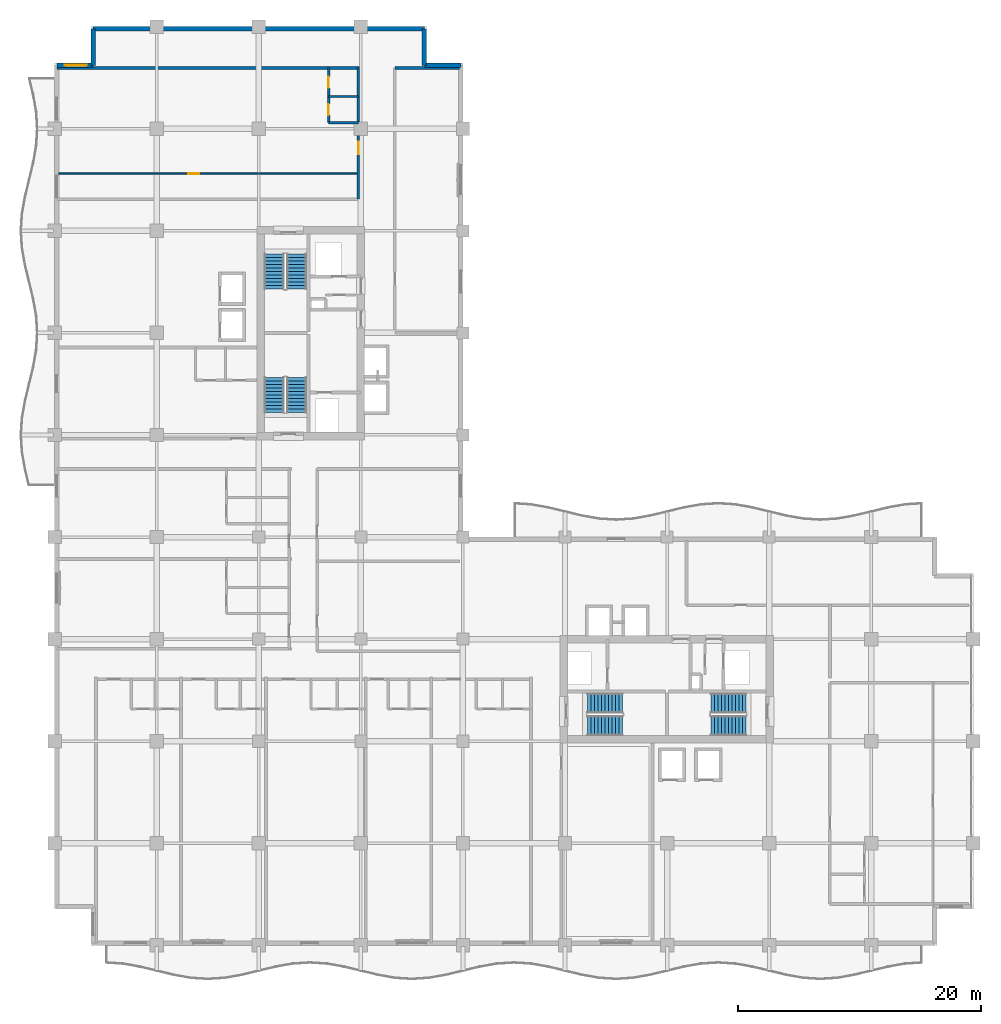
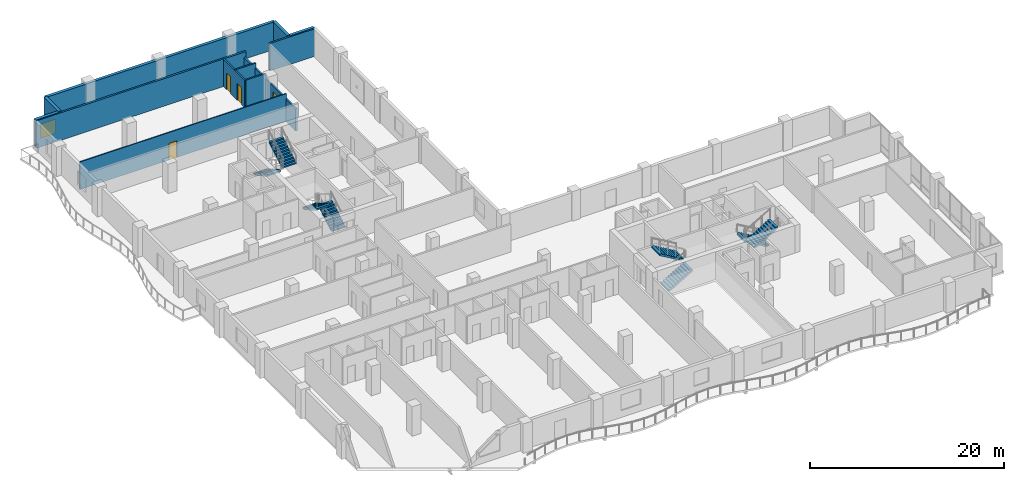
# One storey, part 15 of 21: 12 walls, 8 stair flights, 4 doors, 1 window, 5 openings, 4 elements without a shape of their own.
"""IFC4 building model written with IfcOpenShell, lengths in metres."""

from ifc_helpers import new_model, si_unit, direction, frame, frame_2d, origin, place, context, subcontext, project, spatial, polyline, rectangle, outline, extrude, material, layer, layer_set, type_object, element, fill, aggregate, save


model = new_model("IFC4")

# Units and contexts
model_context = context("Model", 3, precision=1e-05, world=origin(), true_north=direction((0.0, 1.0)))
body_context = subcontext(model_context, "Body", "Model", "MODEL_VIEW")
ifc_project = project(units=[si_unit("LENGTHUNIT", "METRE"), si_unit("AREAUNIT", "SQUARE_METRE"), si_unit("VOLUMEUNIT", "CUBIC_METRE"), si_unit("PLANEANGLEUNIT", "RADIAN"), si_unit("MASSUNIT", "GRAM", prefix="KILO")], contexts=[model_context])

# Site, building, storey
site_placement = place(None, origin())
site = spatial("IfcSite", under=ifc_project, at=site_placement, CompositionType="ELEMENT")
building_placement = place(site_placement, origin())
building = spatial("IfcBuilding", under=site, at=building_placement, Name="Koriwani Terraces Tower", CompositionType="ELEMENT")
storey_placement = place(building_placement, frame((0.0, 0.0, 197.60009765625)))
storey = spatial("IfcBuildingStorey", under=building, at=storey_placement, Name="L48", CompositionType="ELEMENT", Elevation=197.60009765625)

# Wall, opening, door
ifc_material_1 = material(Name="Autoclaved Cellular Concrete Blockwork", Category="masonry")
ifc_layer_1 = layer(ifc_material_1, 0.199951171875, Name="Autoclaved Cellular Concrete Blockwork")
ifc_layer_set_1 = layer_set([ifc_layer_1], Name="Autoclaved Cellular Concrete Blockwork")
wall_type_1 = type_object("IfcWallType", Name="WALL_CORRIDOR_200", PredefinedType="PARTITIONING", material=ifc_layer_set_1)
wall_1_placement = place(storey_placement, frame((25.0, 61.39990234375, 0.0), z_axis=(0.0, 0.0, 1.0), x_axis=(0.0, 1.0, 0.0)))
wall_1 = element("IfcWall", 1, at=wall_1_placement, inside=storey, type_object=wall_type_1, Name="L48 Interior Wall WRCOR-L48-NE-0", PredefinedType="PARTITIONING", context=body_context, shape_type="SweptSolid", body=[
    extrude(rectangle(XDim=10.800048828125, YDim=0.199951171875, at=frame_2d((5.39990234375, 0.0))), origin(), (0.0, 0.0, 1.0), 2.81982421875),
])
opening_1_placement = place(wall_1_placement, frame((3.719970703125, 0.0, 0.0)))
opening_1 = element("IfcOpeningElement", 2, at=opening_1_placement, cuts=wall_1, Name="Opening D-05", PredefinedType="OPENING", context=body_context, shape_type="SweptSolid", body=[
    extrude(rectangle(XDim=1.0, YDim=2.14990234375, at=frame_2d((0.5, 1.074951171875))), frame((0.0, 0.10986328125, 0.0), z_axis=(0.0, -1.0, 0.0), x_axis=(1.0, 0.0, 0.0)), (0.0, 0.0, 1.0), 0.219970703125),
])
ifc_material_2 = material(Name="Architectural Oak Fire Door", Category="wood")
door_type_1 = type_object("IfcDoorType", Name="DOOR_SUITE_ENTRY_1000X2150", OperationType="NOTDEFINED", PredefinedType="DOOR", material=ifc_material_2)
door_1_placement = place(opening_1_placement, origin())
door_1 = element("IfcDoor", 3, at=door_1_placement, inside=storey, type_object=door_type_1, Name="Apartment 48NE1 Entrance Door", OperationType="SINGLE_SWING_LEFT", OverallHeight=2.14990234375, OverallWidth=1.0, PredefinedType="DOOR", context=body_context, shape_type="SweptSolid", body=[
    extrude(rectangle(XDim=1.0, YDim=2.14990234375, at=frame_2d((0.5, 1.074951171875))), frame((0.0, 0.02490234375, 0.0), z_axis=(0.0, -1.0, 0.0), x_axis=(1.0, 0.0, 0.0)), (0.0, 0.0, 1.0), 0.050048828125),
])
fill(opening_1, door_1)

# Walls
ifc_layer_2 = layer(ifc_material_1, 0.219970703125, Name="Autoclaved Cellular Concrete Blockwork")
ifc_layer_set_2 = layer_set([ifc_layer_2], Name="Autoclaved Cellular Concrete Blockwork")
wall_type_2 = type_object("IfcWallType", Name="WALL_DEMISING_220", PredefinedType="PARTITIONING", material=ifc_layer_set_2)
wall_2_placement = place(storey_placement, frame((0.199951171875, 72.199951171875, 0.0), z_axis=(0.0, 0.0, 1.0), x_axis=(1.0, 0.0, 0.0)))
element("IfcWall", 4, at=wall_2_placement, inside=storey, type_object=wall_type_2, Name="L48 Interior Wall WRDEME-L48-NE", PredefinedType="PARTITIONING", context=body_context, shape_type="SweptSolid", body=[
    extrude(rectangle(XDim=24.97998046875, YDim=0.219970703125, at=frame_2d((12.489990234375, 0.0))), origin(), (0.0, 0.0, 1.0), 3.469970703125),
])
wall_3_placement = place(storey_placement, frame((28.0, 72.199951171875, 0.0), z_axis=(0.0, 0.0, 1.0), x_axis=(1.0, 0.0, 0.0)))
element("IfcWall", 5, at=wall_3_placement, inside=storey, type_object=wall_type_2, Name="L48 Interior Wall WNEC-N-L48", PredefinedType="PARTITIONING", context=body_context, shape_type="SweptSolid", body=[
    extrude(rectangle(XDim=5.300048828125, YDim=0.219970703125, at=frame_2d((2.64990234375, 0.0))), origin(), (0.0, 0.0, 1.0), 3.469970703125),
])

# Wall, opening, window
ifc_material_3 = material(Name="Concrete C50/60", Category="concrete")
ifc_layer_3 = layer(ifc_material_3, 0.35009765625, Name="Concrete C50/60")
ifc_layer_set_3 = layer_set([ifc_layer_3], Name="Concrete C50/60")
wall_type_3 = type_object("IfcWallType", Name="WALL_EXT_BRUTALIST_350", PredefinedType="STANDARD", material=ifc_layer_set_3)
wall_4_placement = place(storey_placement, frame((0.175048828125, 72.425048828125, 0.0), z_axis=(0.0, 0.0, 1.0), x_axis=(1.0, 0.0, 0.0)))
wall_4 = element("IfcWall", 6, at=wall_4_placement, inside=storey, type_object=wall_type_3, Name="L48 Fair-Faced Brutalist Exterior Wall (N3)", PredefinedType="STANDARD", context=body_context, shape_type="SweptSolid", body=[
    extrude(rectangle(XDim=3.0, YDim=0.35009765625, at=frame_2d((1.5, 0.0))), origin(), (0.0, 0.0, 1.0), 3.469970703125),
])
opening_2_placement = place(wall_4_placement, frame((0.677490234375, 0.0, 0.85009765625)))
opening_2 = element("IfcOpeningElement", 7, at=opening_2_placement, cuts=wall_4, Name="Opening W-04", PredefinedType="OPENING", context=body_context, shape_type="SweptSolid", body=[
    extrude(rectangle(XDim=1.800048828125, YDim=1.800048828125, at=frame_2d((0.89990234375, 0.89990234375))), frame((0.0, 0.18505859375, 0.0), z_axis=(0.0, -1.0, 0.0), x_axis=(1.0, 0.0, 0.0)), (0.0, 0.0, 1.0), 0.3701171875),
])
ifc_material_4 = material(Name="Tempered Laminated Low-E Glass", Category="glass")
window_type = type_object("IfcWindowType", Name="WIN_RES_BED_1800X1800", PartitioningType="DOUBLE_PANEL_VERTICAL", PredefinedType="WINDOW", material=ifc_material_4)
window_placement = place(opening_2_placement, origin())
window = element("IfcWindow", 8, at=window_placement, inside=storey, type_object=window_type, Name="L48 Exterior Window (N3-R55)", OverallHeight=1.800048828125, OverallWidth=1.800048828125, PartitioningType="SINGLE_PANEL", PredefinedType="WINDOW", context=body_context, shape_type="SweptSolid", body=[
    extrude(rectangle(XDim=1.800048828125, YDim=1.800048828125, at=frame_2d((0.89990234375, 0.89990234375))), frame((0.0, 0.030029296875, 0.0), z_axis=(0.0, -1.0, 0.0), x_axis=(1.0, 0.0, 0.0)), (0.0, 0.0, 1.0), 0.06005859375),
])
fill(opening_2, window)

# Walls
wall_5_placement = place(storey_placement, frame((3.175048828125, 72.425048828125, 0.0), z_axis=(0.0, 0.0, 1.0), x_axis=(0.0, 1.0, 0.0)))
element("IfcWall", 9, at=wall_5_placement, inside=storey, type_object=wall_type_3, Name="L48 Fair-Faced Brutalist Exterior Wall (N4)", PredefinedType="STANDARD", context=body_context, shape_type="SweptSolid", body=[
    extrude(rectangle(XDim=3.0, YDim=0.35009765625, at=frame_2d((1.5, 0.0))), origin(), (0.0, 0.0, 1.0), 3.469970703125),
])
wall_6_placement = place(storey_placement, frame((3.175048828125, 75.425048828125, 0.0), z_axis=(0.0, 0.0, 1.0), x_axis=(1.0, 0.0, 0.0)))
element("IfcWall", 10, at=wall_6_placement, inside=storey, type_object=wall_type_3, Name="L48 Fair-Faced Brutalist Exterior Wall (N_TIP)", PredefinedType="STANDARD", context=body_context, shape_type="SweptSolid", body=[
    extrude(rectangle(XDim=27.25, YDim=0.35009765625, at=frame_2d((13.625, 0.0))), origin(), (0.0, 0.0, 1.0), 3.469970703125),
])
for number, where, z_axis, x_axis, name in (
    (11, (30.425048828125, 75.425048828125, 0.0), (0.0, 0.0, 1.0), (0.0, -1.0, 0.0), "L48 Fair-Faced Brutalist Exterior Wall (N6)"),
    (12, (30.425048828125, 72.425048828125, 0.0), (0.0, 0.0, 1.0), (1.0, 0.0, 0.0), "L48 Fair-Faced Brutalist Exterior Wall (N7)"),
):
    element("IfcWall", number, at=place(storey_placement, frame(where, z_axis=z_axis, x_axis=x_axis)), inside=storey, type_object=wall_type_3, Name=name, PredefinedType="STANDARD", context=body_context, shape_type="SweptSolid", body=[
        extrude(rectangle(XDim=3.0, YDim=0.35009765625, at=frame_2d((1.5, 0.0))), origin(), (0.0, 0.0, 1.0), 3.469970703125),
    ])

# Wall, opening, door
ifc_material_5 = material(Name="Fire-Rated Acoustic Gypsum Partition", Category="masonry")
ifc_layer_4 = layer(ifc_material_5, 0.125, Name="Fire-Rated Acoustic Gypsum Partition")
ifc_layer_set_4 = layer_set([ifc_layer_4], Name="Fire-Rated Acoustic Gypsum Partition")
wall_type_4 = type_object("IfcWallType", Name="WALL_INT_125", PredefinedType="PARTITIONING", material=ifc_layer_set_4)
wall_7_placement = place(storey_placement, frame((0.35009765625, 63.5, 0.0), z_axis=(0.0, 0.0, 1.0), x_axis=(1.0, 0.0, 0.0)))
wall_7 = element("IfcWall", 13, at=wall_7_placement, inside=storey, type_object=wall_type_4, Name="L48 Interior Wall WRBED1-L48-NE-0", PredefinedType="PARTITIONING", context=body_context, shape_type="SweptSolid", body=[
    extrude(rectangle(XDim=24.64990234375, YDim=0.125, at=frame_2d((12.324951171875, 0.0))), origin(), (0.0, 0.0, 1.0), 3.469970703125),
])
opening_3_placement = place(wall_7_placement, frame((10.639892578125, 0.0, 0.0)))
opening_3 = element("IfcOpeningElement", 14, at=opening_3_placement, cuts=wall_7, Name="Opening D-06", PredefinedType="OPENING", context=body_context, shape_type="SweptSolid", body=[
    extrude(rectangle(XDim=0.919921875, YDim=2.10009765625, at=frame_2d((0.4599609375, 1.050048828125))), frame((0.0, 0.072509765625, 0.0), z_axis=(0.0, -1.0, 0.0), x_axis=(1.0, 0.0, 0.0)), (0.0, 0.0, 1.0), 0.14501953125),
])
door_type_2 = type_object("IfcDoorType", Name="DOOR_ROOM_INT_920X2100", OperationType="NOTDEFINED", PredefinedType="DOOR", material=ifc_material_2)
door_2_placement = place(opening_3_placement, origin())
door_2 = element("IfcDoor", 15, at=door_2_placement, inside=storey, type_object=door_type_2, Name="Apartment 48NE1 Master Bedroom Door", OperationType="SINGLE_SWING_RIGHT", OverallHeight=2.10009765625, OverallWidth=0.919921875, PredefinedType="DOOR", context=body_context, shape_type="SweptSolid", body=[
    extrude(rectangle(XDim=0.919921875, YDim=2.10009765625, at=frame_2d((0.4599609375, 1.050048828125))), frame((0.0, 0.02490234375, 0.0), z_axis=(0.0, -1.0, 0.0), x_axis=(1.0, 0.0, 0.0)), (0.0, 0.0, 1.0), 0.050048828125),
])
fill(opening_3, door_2)

# Wall, openings, doors
ifc_layer_5 = layer(ifc_material_5, 0.179931640625, Name="Fire-Rated Acoustic Gypsum Partition")
ifc_layer_set_5 = layer_set([ifc_layer_5], Name="Fire-Rated Acoustic Gypsum Partition")
wall_type_5 = type_object("IfcWallType", Name="WALL_PLUMBING_180", PredefinedType="PLUMBINGWALL", material=ifc_layer_set_5)
wall_8_placement = place(storey_placement, frame((22.550048828125, 67.699951171875, 0.0), z_axis=(0.0, 0.0, 1.0), x_axis=(0.0, 1.0, 0.0)))
wall_8 = element("IfcWall", 16, at=wall_8_placement, inside=storey, type_object=wall_type_5, Name="L48 Interior Wall WRSVC-L48-NE-0", PredefinedType="PLUMBINGWALL", context=body_context, shape_type="SweptSolid", body=[
    extrude(rectangle(XDim=4.5, YDim=0.179931640625, at=frame_2d((2.25, 0.0))), origin(), (0.0, 0.0, 1.0), 3.469970703125),
])
opening_4_placement = place(wall_8_placement, frame((0.6298828125, 0.0, 0.0)))
opening_4 = element("IfcOpeningElement", 17, at=opening_4_placement, cuts=wall_8, Name="Opening D-07", PredefinedType="OPENING", context=body_context, shape_type="SweptSolid", body=[
    extrude(rectangle(XDim=0.89990234375, YDim=2.10009765625, at=frame_2d((0.449951171875, 1.050048828125))), frame((0.0, 0.10009765625, 0.0), z_axis=(0.0, -1.0, 0.0), x_axis=(1.0, 0.0, 0.0)), (0.0, 0.0, 1.0), 0.199951171875),
])
opening_5_placement = place(wall_8_placement, frame((2.8701171875, 0.0, 0.0)))
opening_5 = element("IfcOpeningElement", 18, at=opening_5_placement, cuts=wall_8, Name="Opening D-06", PredefinedType="OPENING", context=body_context, shape_type="SweptSolid", body=[
    extrude(rectangle(XDim=0.919921875, YDim=2.10009765625, at=frame_2d((0.4599609375, 1.050048828125))), frame((0.0, 0.10009765625, 0.0), z_axis=(0.0, -1.0, 0.0), x_axis=(1.0, 0.0, 0.0)), (0.0, 0.0, 1.0), 0.199951171875),
])
door_type_3 = type_object("IfcDoorType", Name="DOOR_BATH_INT_900X2100", OperationType="NOTDEFINED", PredefinedType="DOOR", material=ifc_material_2)
door_3_placement = place(opening_4_placement, origin())
door_3 = element("IfcDoor", 19, at=door_3_placement, inside=storey, type_object=door_type_3, Name="Apartment 48NE1 Bathroom Door", OperationType="SINGLE_SWING_RIGHT", OverallHeight=2.10009765625, OverallWidth=0.89990234375, PredefinedType="DOOR", context=body_context, shape_type="SweptSolid", body=[
    extrude(rectangle(XDim=0.89990234375, YDim=2.10009765625, at=frame_2d((0.449951171875, 1.050048828125))), frame((0.0, 0.02490234375, 0.0), z_axis=(0.0, -1.0, 0.0), x_axis=(1.0, 0.0, 0.0)), (0.0, 0.0, 1.0), 0.050048828125),
])
fill(opening_4, door_3)
door_4_placement = place(opening_5_placement, origin())
door_4 = element("IfcDoor", 20, at=door_4_placement, inside=storey, type_object=door_type_2, Name="Apartment 48NE1 Kitchen Door", OperationType="SINGLE_SWING_LEFT", OverallHeight=2.10009765625, OverallWidth=0.919921875, PredefinedType="DOOR", context=body_context, shape_type="SweptSolid", body=[
    extrude(rectangle(XDim=0.919921875, YDim=2.10009765625, at=frame_2d((0.4599609375, 1.050048828125))), frame((0.0, 0.02490234375, 0.0), z_axis=(0.0, -1.0, 0.0), x_axis=(1.0, 0.0, 0.0)), (0.0, 0.0, 1.0), 0.050048828125),
])
fill(opening_5, door_4)

# Walls
for number, where, z_axis, x_axis, name in (
    (21, (22.550048828125, 67.699951171875, 0.0), (0.0, 0.0, 1.0), (1.0, 0.0, 0.0), "L48 Interior Wall WRSVCS-L48-NE-0"),
    (22, (22.550048828125, 69.860107421875, 0.0), (0.0, 0.0, 1.0), (1.0, 0.0, 0.0), "L48 Interior Wall WRSVCM-L48-NE-0"),
):
    element("IfcWall", number, at=place(storey_placement, frame(where, z_axis=z_axis, x_axis=x_axis)), inside=storey, type_object=wall_type_5, Name=name, PredefinedType="PLUMBINGWALL", context=body_context, shape_type="SweptSolid", body=[
        extrude(rectangle(XDim=2.449951171875, YDim=0.179931640625, at=frame_2d((1.22509765625, 0.0))), origin(), (0.0, 0.0, 1.0), 3.469970703125),
    ])

# Stair, stair flights
ifc_material_6 = material(Name="Concrete C40/50", Category="concrete")
stair_type = type_object("IfcStairType", Name="STAIR_CORE_DOGLEG_1650", PredefinedType="TWO_STRAIGHT_RUN_STAIR", material=ifc_material_6)
stair_1_placement = place(storey_placement, origin())
stair_1 = element("IfcStair", 23, at=stair_1_placement, inside=storey, type_object=stair_type, Name="L48 West Core Exit Stair 1", PredefinedType="HALF_TURN_STAIR")
stair_flight_type = type_object("IfcStairFlightType", Name="STAIR_FLIGHT_RC_1650", PredefinedType="STRAIGHT", material=ifc_material_6)
stair_flight_1_placement = place(storey_placement, frame((19.925048828125, 43.85009765625, 0.0), z_axis=(0.0, 0.0, 1.0), x_axis=(0.0, 1.0, 0.0)))
stair_flight_1 = element("IfcStairFlight", 24, at=stair_flight_1_placement, type_object=stair_flight_type, Name="ST-W1 flight 1", NumberOfRisers=11, NumberOfTreads=10, PredefinedType="STRAIGHT", RiserHeight=0.168181818, TreadLength=0.29, context=body_context, shape_type="SweptSolid", body=[
    extrude(outline(polyline([(0.0, 0.0), (0.0, 0.168212890625), (0.2900390625, 0.168212890625), (0.2900390625, 0.33642578125), (0.580078125, 0.33642578125), (0.580078125, 0.504638671875), (0.8701171875, 0.504638671875), (0.8701171875, 0.672607421875), (1.159912109375, 0.672607421875), (1.159912109375, 0.8408203125), (1.449951171875, 0.8408203125), (1.449951171875, 1.009033203125), (1.739990234375, 1.009033203125), (1.739990234375, 1.17724609375), (2.030029296875, 1.17724609375), (2.030029296875, 1.345458984375), (2.320068359375, 1.345458984375), (2.320068359375, 1.513671875), (2.610107421875, 1.513671875), (2.610107421875, 1.681884765625), (2.89990234375, 1.681884765625), (2.89990234375, 1.85009765625), (2.89990234375, 1.473876953125), (0.358642578125, 0.0), (0.0, 0.0)])), frame((0.0, 0.824951171875, 0.0), z_axis=(0.0, -1.0, 0.0), x_axis=(1.0, 0.0, 0.0)), (0.0, 0.0, 1.0), 1.64990234375),
])
stair_flight_2_placement = place(storey_placement, frame((18.074951171875, 46.75, 1.849853515625), z_axis=(0.0, 0.0, 1.0), x_axis=(0.0, -1.0, 0.0)))
stair_flight_2 = element("IfcStairFlight", 25, at=stair_flight_2_placement, type_object=stair_flight_type, Name="ST-W1 flight 2", NumberOfRisers=11, NumberOfTreads=10, PredefinedType="STRAIGHT", RiserHeight=0.168181818, TreadLength=0.29, context=body_context, shape_type="SweptSolid", body=[
    extrude(outline(polyline([(0.0, 0.0), (0.0, 0.168212890625), (0.2900390625, 0.168212890625), (0.2900390625, 0.33642578125), (0.580078125, 0.33642578125), (0.580078125, 0.504638671875), (0.8701171875, 0.504638671875), (0.8701171875, 0.672607421875), (1.159912109375, 0.672607421875), (1.159912109375, 0.8408203125), (1.449951171875, 0.8408203125), (1.449951171875, 1.009033203125), (1.739990234375, 1.009033203125), (1.739990234375, 1.17724609375), (2.030029296875, 1.17724609375), (2.030029296875, 1.345458984375), (2.320068359375, 1.345458984375), (2.320068359375, 1.513671875), (2.610107421875, 1.513671875), (2.610107421875, 1.681884765625), (2.89990234375, 1.681884765625), (2.89990234375, 1.85009765625), (2.89990234375, 1.473876953125), (0.358642578125, 0.0), (0.0, 0.0)])), frame((0.0, 0.824951171875, 0.0), z_axis=(0.0, -1.0, 0.0), x_axis=(1.0, 0.0, 0.0)), (0.0, 0.0, 1.0), 1.64990234375),
])
aggregate(stair_1, [stair_flight_1, stair_flight_2])

stair_2_placement = place(storey_placement, origin())
stair_2 = element("IfcStair", 26, at=stair_2_placement, inside=storey, type_object=stair_type, Name="L48 West Core Exit Stair 2", PredefinedType="HALF_TURN_STAIR")
stair_flight_3_placement = place(storey_placement, frame((18.074951171875, 56.89990234375, 0.0), z_axis=(0.0, 0.0, 1.0), x_axis=(0.0, -1.0, 0.0)))
stair_flight_3 = element("IfcStairFlight", 27, at=stair_flight_3_placement, type_object=stair_flight_type, Name="ST-W2 flight 1", NumberOfRisers=11, NumberOfTreads=10, PredefinedType="STRAIGHT", RiserHeight=0.168181818, TreadLength=0.29, context=body_context, shape_type="SweptSolid", body=[
    extrude(outline(polyline([(0.0, 0.0), (0.0, 0.168212890625), (0.2900390625, 0.168212890625), (0.2900390625, 0.33642578125), (0.580078125, 0.33642578125), (0.580078125, 0.504638671875), (0.8701171875, 0.504638671875), (0.8701171875, 0.672607421875), (1.159912109375, 0.672607421875), (1.159912109375, 0.8408203125), (1.449951171875, 0.8408203125), (1.449951171875, 1.009033203125), (1.739990234375, 1.009033203125), (1.739990234375, 1.17724609375), (2.030029296875, 1.17724609375), (2.030029296875, 1.345458984375), (2.320068359375, 1.345458984375), (2.320068359375, 1.513671875), (2.610107421875, 1.513671875), (2.610107421875, 1.681884765625), (2.89990234375, 1.681884765625), (2.89990234375, 1.85009765625), (2.89990234375, 1.473876953125), (0.358642578125, 0.0), (0.0, 0.0)])), frame((0.0, 0.824951171875, 0.0), z_axis=(0.0, -1.0, 0.0), x_axis=(1.0, 0.0, 0.0)), (0.0, 0.0, 1.0), 1.64990234375),
])
stair_flight_4_placement = place(storey_placement, frame((19.925048828125, 54.0, 1.849853515625), z_axis=(0.0, 0.0, 1.0), x_axis=(0.0, 1.0, 0.0)))
stair_flight_4 = element("IfcStairFlight", 28, at=stair_flight_4_placement, type_object=stair_flight_type, Name="ST-W2 flight 2", NumberOfRisers=11, NumberOfTreads=10, PredefinedType="STRAIGHT", RiserHeight=0.168181818, TreadLength=0.29, context=body_context, shape_type="SweptSolid", body=[
    extrude(outline(polyline([(0.0, 0.0), (0.0, 0.168212890625), (0.2900390625, 0.168212890625), (0.2900390625, 0.33642578125), (0.580078125, 0.33642578125), (0.580078125, 0.504638671875), (0.8701171875, 0.504638671875), (0.8701171875, 0.672607421875), (1.159912109375, 0.672607421875), (1.159912109375, 0.8408203125), (1.449951171875, 0.8408203125), (1.449951171875, 1.009033203125), (1.739990234375, 1.009033203125), (1.739990234375, 1.17724609375), (2.030029296875, 1.17724609375), (2.030029296875, 1.345458984375), (2.320068359375, 1.345458984375), (2.320068359375, 1.513671875), (2.610107421875, 1.513671875), (2.610107421875, 1.681884765625), (2.89990234375, 1.681884765625), (2.89990234375, 1.85009765625), (2.89990234375, 1.473876953125), (0.358642578125, 0.0), (0.0, 0.0)])), frame((0.0, 0.824951171875, 0.0), z_axis=(0.0, -1.0, 0.0), x_axis=(1.0, 0.0, 0.0)), (0.0, 0.0, 1.0), 1.64990234375),
])
aggregate(stair_2, [stair_flight_3, stair_flight_4])

stair_3_placement = place(storey_placement, origin())
stair_3 = element("IfcStair", 29, at=stair_3_placement, inside=storey, type_object=stair_type, Name="L48 East Core Exit Stair 1", PredefinedType="HALF_TURN_STAIR")
stair_flight_5_placement = place(storey_placement, frame((43.85009765625, 18.074951171875, 0.0), z_axis=(0.0, 0.0, 1.0), x_axis=(1.0, 0.0, 0.0)))
stair_flight_5 = element("IfcStairFlight", 30, at=stair_flight_5_placement, type_object=stair_flight_type, Name="ST-E1 flight 1", NumberOfRisers=11, NumberOfTreads=10, PredefinedType="STRAIGHT", RiserHeight=0.168181818, TreadLength=0.29, context=body_context, shape_type="SweptSolid", body=[
    extrude(outline(polyline([(0.0, 0.0), (0.0, 0.168212890625), (0.2900390625, 0.168212890625), (0.2900390625, 0.33642578125), (0.580078125, 0.33642578125), (0.580078125, 0.504638671875), (0.8701171875, 0.504638671875), (0.8701171875, 0.672607421875), (1.159912109375, 0.672607421875), (1.159912109375, 0.8408203125), (1.449951171875, 0.8408203125), (1.449951171875, 1.009033203125), (1.739990234375, 1.009033203125), (1.739990234375, 1.17724609375), (2.030029296875, 1.17724609375), (2.030029296875, 1.345458984375), (2.320068359375, 1.345458984375), (2.320068359375, 1.513671875), (2.610107421875, 1.513671875), (2.610107421875, 1.681884765625), (2.89990234375, 1.681884765625), (2.89990234375, 1.85009765625), (2.89990234375, 1.473876953125), (0.358642578125, 0.0), (0.0, 0.0)])), frame((0.0, 0.824951171875, 0.0), z_axis=(0.0, -1.0, 0.0), x_axis=(1.0, 0.0, 0.0)), (0.0, 0.0, 1.0), 1.64990234375),
])
stair_flight_6_placement = place(storey_placement, frame((46.75, 19.925048828125, 1.849853515625), z_axis=(0.0, 0.0, 1.0), x_axis=(-1.0, 0.0, 0.0)))
stair_flight_6 = element("IfcStairFlight", 31, at=stair_flight_6_placement, type_object=stair_flight_type, Name="ST-E1 flight 2", NumberOfRisers=11, NumberOfTreads=10, PredefinedType="STRAIGHT", RiserHeight=0.168181818, TreadLength=0.29, context=body_context, shape_type="SweptSolid", body=[
    extrude(outline(polyline([(0.0, 0.0), (0.0, 0.168212890625), (0.2900390625, 0.168212890625), (0.2900390625, 0.33642578125), (0.580078125, 0.33642578125), (0.580078125, 0.504638671875), (0.8701171875, 0.504638671875), (0.8701171875, 0.672607421875), (1.159912109375, 0.672607421875), (1.159912109375, 0.8408203125), (1.449951171875, 0.8408203125), (1.449951171875, 1.009033203125), (1.739990234375, 1.009033203125), (1.739990234375, 1.17724609375), (2.030029296875, 1.17724609375), (2.030029296875, 1.345458984375), (2.320068359375, 1.345458984375), (2.320068359375, 1.513671875), (2.610107421875, 1.513671875), (2.610107421875, 1.681884765625), (2.89990234375, 1.681884765625), (2.89990234375, 1.85009765625), (2.89990234375, 1.473876953125), (0.358642578125, 0.0), (0.0, 0.0)])), frame((0.0, 0.824951171875, 0.0), z_axis=(0.0, -1.0, 0.0), x_axis=(1.0, 0.0, 0.0)), (0.0, 0.0, 1.0), 1.64990234375),
])
aggregate(stair_3, [stair_flight_5, stair_flight_6])

stair_4_placement = place(storey_placement, origin())
stair_4 = element("IfcStair", 32, at=stair_4_placement, inside=storey, type_object=stair_type, Name="L48 East Core Exit Stair 2", PredefinedType="HALF_TURN_STAIR")
stair_flight_7_placement = place(storey_placement, frame((56.89990234375, 19.925048828125, 0.0), z_axis=(0.0, 0.0, 1.0), x_axis=(-1.0, 0.0, 0.0)))
stair_flight_7 = element("IfcStairFlight", 33, at=stair_flight_7_placement, type_object=stair_flight_type, Name="ST-E2 flight 1", NumberOfRisers=11, NumberOfTreads=10, PredefinedType="STRAIGHT", RiserHeight=0.168181818, TreadLength=0.29, context=body_context, shape_type="SweptSolid", body=[
    extrude(outline(polyline([(0.0, 0.0), (0.0, 0.168212890625), (0.2900390625, 0.168212890625), (0.2900390625, 0.33642578125), (0.580078125, 0.33642578125), (0.580078125, 0.504638671875), (0.8701171875, 0.504638671875), (0.8701171875, 0.672607421875), (1.159912109375, 0.672607421875), (1.159912109375, 0.8408203125), (1.449951171875, 0.8408203125), (1.449951171875, 1.009033203125), (1.739990234375, 1.009033203125), (1.739990234375, 1.17724609375), (2.030029296875, 1.17724609375), (2.030029296875, 1.345458984375), (2.320068359375, 1.345458984375), (2.320068359375, 1.513671875), (2.610107421875, 1.513671875), (2.610107421875, 1.681884765625), (2.89990234375, 1.681884765625), (2.89990234375, 1.85009765625), (2.89990234375, 1.473876953125), (0.358642578125, 0.0), (0.0, 0.0)])), frame((0.0, 0.824951171875, 0.0), z_axis=(0.0, -1.0, 0.0), x_axis=(1.0, 0.0, 0.0)), (0.0, 0.0, 1.0), 1.64990234375),
])
stair_flight_8_placement = place(storey_placement, frame((54.0, 18.074951171875, 1.849853515625), z_axis=(0.0, 0.0, 1.0), x_axis=(1.0, 0.0, 0.0)))
stair_flight_8 = element("IfcStairFlight", 34, at=stair_flight_8_placement, type_object=stair_flight_type, Name="ST-E2 flight 2", NumberOfRisers=11, NumberOfTreads=10, PredefinedType="STRAIGHT", RiserHeight=0.168181818, TreadLength=0.29, context=body_context, shape_type="SweptSolid", body=[
    extrude(outline(polyline([(0.0, 0.0), (0.0, 0.168212890625), (0.2900390625, 0.168212890625), (0.2900390625, 0.33642578125), (0.580078125, 0.33642578125), (0.580078125, 0.504638671875), (0.8701171875, 0.504638671875), (0.8701171875, 0.672607421875), (1.159912109375, 0.672607421875), (1.159912109375, 0.8408203125), (1.449951171875, 0.8408203125), (1.449951171875, 1.009033203125), (1.739990234375, 1.009033203125), (1.739990234375, 1.17724609375), (2.030029296875, 1.17724609375), (2.030029296875, 1.345458984375), (2.320068359375, 1.345458984375), (2.320068359375, 1.513671875), (2.610107421875, 1.513671875), (2.610107421875, 1.681884765625), (2.89990234375, 1.681884765625), (2.89990234375, 1.85009765625), (2.89990234375, 1.473876953125), (0.358642578125, 0.0), (0.0, 0.0)])), frame((0.0, 0.824951171875, 0.0), z_axis=(0.0, -1.0, 0.0), x_axis=(1.0, 0.0, 0.0)), (0.0, 0.0, 1.0), 1.64990234375),
])
aggregate(stair_4, [stair_flight_7, stair_flight_8])

save(model, "model.ifc")
